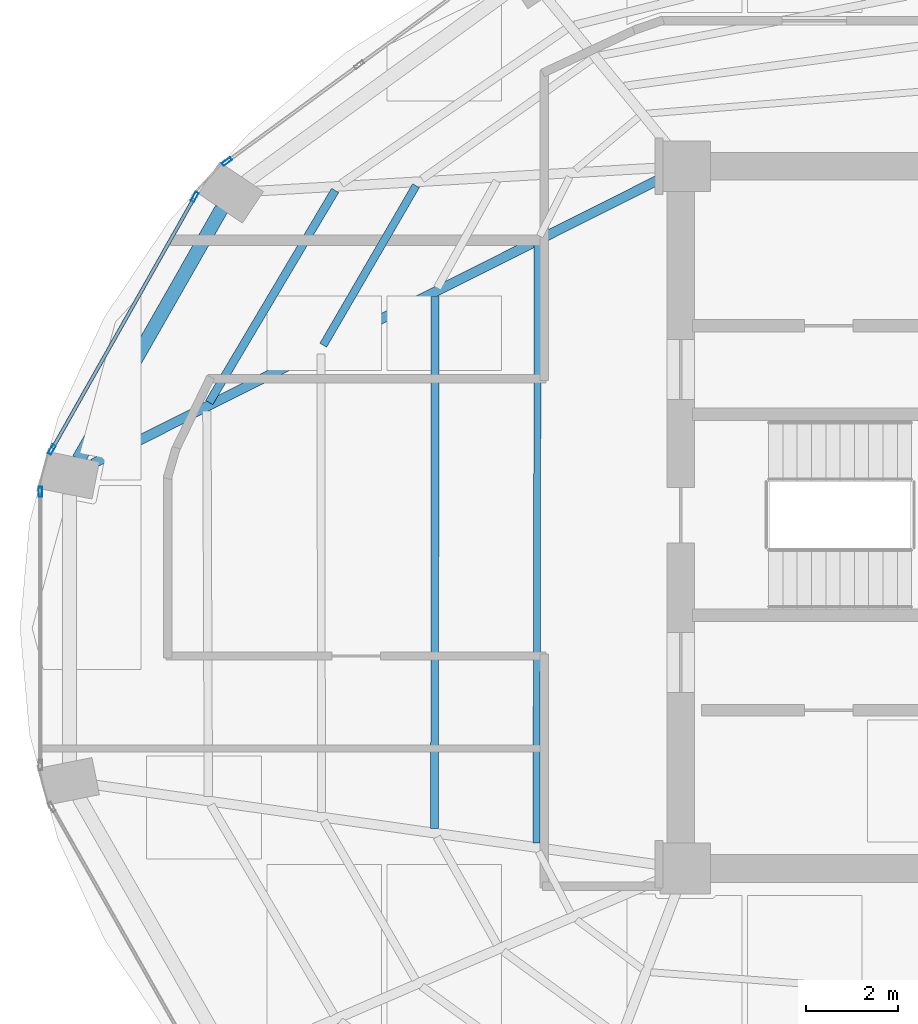
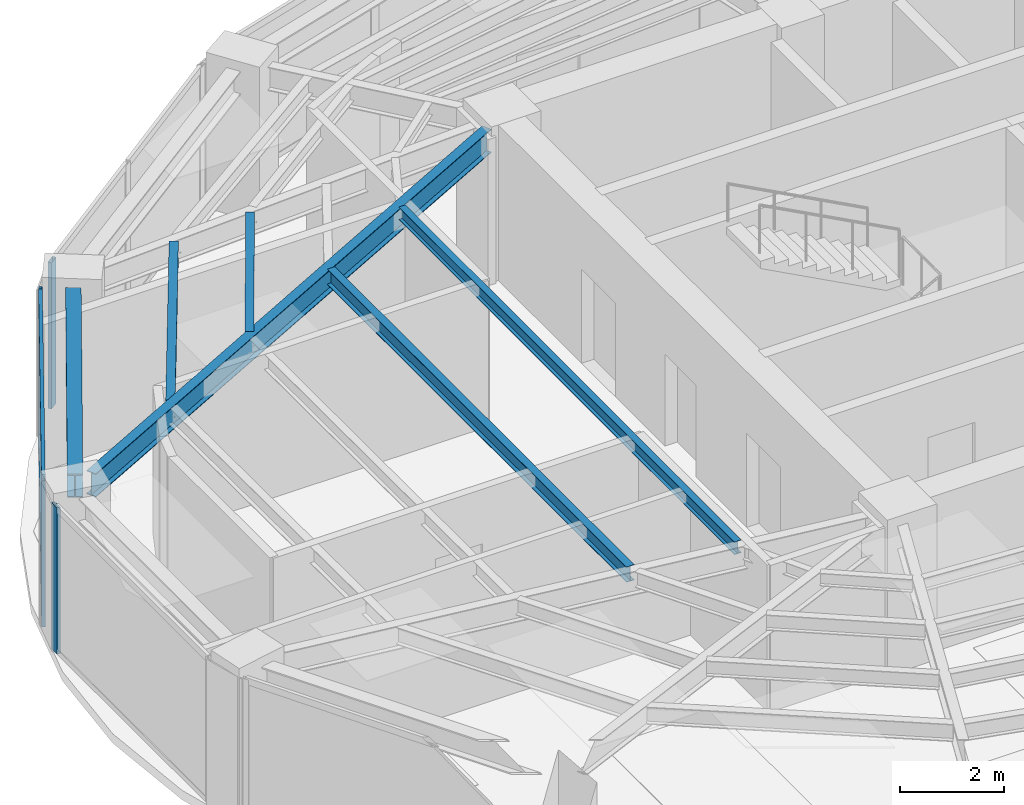
# One storey, part 6 of 19: 6 beams, 6 members, 3 elements without a shape of their own.
"""IFC4 building model written with IfcOpenShell, lengths in metres."""

import ifcopenshell
import ifcopenshell.guid

model = None  # the IFC model being written
_history = None  # IfcOwnerHistory: only IFC2X3 demands one
_inside = {}  # id of a spatial element -> (the spatial element, [elements in it])
_under = {}  # id of a project, library or spatial element -> (it, [spatial elements below it])
_declared = {}  # id of a project -> (the project, [libraries it declares])
_typed = {}  # id of a type object -> (the type object, [elements of that type])
_made_of = {}  # id of a material, layer set ... -> (it, [elements and type objects made of it])


def new_model(schema):
    """Start an empty IFC model of exactly this schema.

    Asked for "IFC4X3", IfcOpenShell would pick the latest addendum, in which some entities
    have other attributes; the version numbers below select the first issue.
    IFC2X3 requires an IfcOwnerHistory on every rooted entity: one is made here for all.
    """
    global model, _history
    if schema == "IFC4X3":
        model = ifcopenshell.file(schema_version=(4, 3, 0, 0))
    else:
        model = ifcopenshell.file(schema=schema)
    _inside.clear()
    _under.clear()
    _declared.clear()
    _typed.clear()
    _made_of.clear()
    _history = None
    if model.schema == "IFC2X3":
        org = make("IfcOrganization", Name="unknown")
        user = make(
            "IfcPersonAndOrganization",
            ThePerson=make("IfcPerson", FamilyName="unknown"),
            TheOrganization=org,
        )
        app = make(
            "IfcApplication",
            ApplicationDeveloper=org,
            Version="unknown",
            ApplicationFullName="unknown",
            ApplicationIdentifier="unknown",
        )
        _history = make(
            "IfcOwnerHistory",
            OwningUser=user,
            OwningApplication=app,
            ChangeAction="ADDED",
            CreationDate=0,
        )
    return model


def make(cls, **values):
    """One entity of the class cls with the attributes given. An attribute that is None is left unset."""
    return model.create_entity(
        cls, **{name: value for name, value in values.items() if value is not None}
    )


def rooted(cls, **values):
    """An entity with a GlobalId (a new one), such as an element, a storey or a relation."""
    return make(cls, GlobalId=ifcopenshell.guid.new(), OwnerHistory=_history, **values)


def si_unit(unit_type, name, prefix=None):
    """IfcSIUnit, for example si_unit("LENGTHUNIT", "METRE", prefix="MILLI")."""
    return make("IfcSIUnit", UnitType=unit_type, Prefix=prefix, Name=name)


def assignment(units):
    """IfcUnitAssignment: the units of a project."""
    return None if units is None else make("IfcUnitAssignment", Units=units)


def point(xyz):
    """IfcCartesianPoint."""
    return None if xyz is None else make("IfcCartesianPoint", Coordinates=xyz)


def direction(xyz):
    """IfcDirection."""
    return None if xyz is None else make("IfcDirection", DirectionRatios=xyz)


def frame(location, z_axis=None, x_axis=None):
    """IfcAxis2Placement3D, a coordinate frame: its origin and axes. An axis left out is left unset."""
    return make(
        "IfcAxis2Placement3D",
        Location=point(location),
        Axis=direction(z_axis),
        RefDirection=direction(x_axis),
    )


def frame_2d(location, x_axis=None):
    """IfcAxis2Placement2D, a coordinate frame in the plane: its origin and x axis."""
    return make(
        "IfcAxis2Placement2D", Location=point(location), RefDirection=direction(x_axis)
    )


def origin():
    """The frame at (0, 0, 0) with its axes left unset."""
    return frame((0.0, 0.0, 0.0))


def origin_2d():
    """The frame at (0, 0) in the plane with its x axis left unset."""
    return frame_2d((0.0, 0.0))


def place(relative_to, where):
    """IfcLocalPlacement: puts the frame where relative to a parent placement (None: the world)."""
    return make(
        "IfcLocalPlacement", PlacementRelTo=relative_to, RelativePlacement=where
    )


def context(
    kind, dimensions, precision=None, world=None, true_north=None, identifier=None
):
    """IfcGeometricRepresentationContext, for example the 3D "Model" context."""
    return make(
        "IfcGeometricRepresentationContext",
        ContextIdentifier=identifier,
        ContextType=kind,
        CoordinateSpaceDimension=dimensions,
        Precision=precision,
        WorldCoordinateSystem=world,
        TrueNorth=true_north,
    )


def subcontext(parent, identifier, kind, view, scale=None):
    """IfcGeometricRepresentationSubContext, for example "Body" below "Model"."""
    return make(
        "IfcGeometricRepresentationSubContext",
        ContextIdentifier=identifier,
        ContextType=kind,
        ParentContext=parent,
        TargetScale=scale,
        TargetView=view,
    )


def project(units=None, contexts=None):
    """IfcProject with its units and contexts."""
    return rooted(
        "IfcProject",
        Name="project",
        RepresentationContexts=contexts,
        UnitsInContext=assignment(units),
    )


def spatial(cls, under=None, at=None, **own):
    """A site, building, storey or space (cls), placed at a placement, below another one or the project."""
    s = rooted(cls, ObjectPlacement=at, **own)
    if under is not None:
        _under.setdefault(under.id(), (under, []))[1].append(s)
    return s


def profile(cls, at=None, kind="AREA", **sizes):
    """A parametric profile (cls). Its sizes go by their IFC names, for example OverallWidth=200.0."""
    return make(cls, ProfileType=kind, Position=at, **sizes)


def hollow_rectangle(**sizes):
    """IfcRectangleHollowProfileDef."""
    return profile("IfcRectangleHollowProfileDef", **sizes)


def i_section(**sizes):
    """IfcIShapeProfileDef."""
    return profile("IfcIShapeProfileDef", **sizes)


def extrude(swept, where, along, depth):
    """IfcExtrudedAreaSolid: the profile swept, set in the frame where, extruded along a direction by depth."""
    return make(
        "IfcExtrudedAreaSolid",
        SweptArea=swept,
        Position=where,
        ExtrudedDirection=direction(along),
        Depth=depth,
    )


def shape(context_of_items, identifier, shape_type, items):
    """IfcShapeRepresentation: the items that make up one representation, for example the "Body"."""
    return make(
        "IfcShapeRepresentation",
        ContextOfItems=context_of_items,
        RepresentationIdentifier=identifier,
        RepresentationType=shape_type,
        Items=items,
    )


def material(Name=None, Category=None):
    """IfcMaterial."""
    return make("IfcMaterial", Name=Name, Category=Category)


def layer(
    of_material, thickness, ventilated=None, Name=None, Category=None, Priority=None
):
    """IfcMaterialLayer: one layer of a wall or slab, of a material (None: an air gap)."""
    return make(
        "IfcMaterialLayer",
        Material=of_material,
        LayerThickness=thickness,
        IsVentilated=ventilated,
        Name=Name,
        Category=Category,
        Priority=Priority,
    )


def layer_set(layers, Name=None):
    """IfcMaterialLayerSet."""
    return make("IfcMaterialLayerSet", MaterialLayers=layers, LayerSetName=Name)


def material_profile(
    of_material, cross_section, Name=None, Category=None, Priority=None
):
    """IfcMaterialProfile: a cross section and its material."""
    return make(
        "IfcMaterialProfile",
        Name=Name,
        Material=of_material,
        Profile=cross_section,
        Priority=Priority,
        Category=Category,
    )


def profile_set(profiles, Name=None, composite=None):
    """IfcMaterialProfileSet."""
    return make(
        "IfcMaterialProfileSet",
        Name=Name,
        MaterialProfiles=profiles,
        CompositeProfile=composite,
    )


def made_of(thing, what):
    """Note that an element or type object is made of a material, layer set ...; save() writes the relation."""
    if what is not None:
        _made_of.setdefault(what.id(), (what, []))[1].append(thing)
    return thing


def type_object(cls, material=None, **own):
    """A type object (cls), such as IfcWallType, which elements share."""
    return made_of(rooted(cls, **own), material)


def element(
    cls,
    number,
    at=None,
    inside=None,
    cuts=None,
    type_object=None,
    material=None,
    context=None,
    identifier="Body",
    shape_type=None,
    held_by="IfcProductDefinitionShape",
    body=None,
    shapes=None,
    **own,
):
    """One element of the class cls, such as IfcWall. Its Tag is "e" and its number.

    at: its placement. inside: the storey or other place that contains it. cuts: it is an
    opening in that element (IfcRelVoidsElement). A single representation is given by context,
    identifier, shape_type and body (its items); several are given by shapes. held_by: the class
    of the entity that holds the representations. save() writes the other relations.
    """
    e = rooted(cls, Tag="e%d" % number, ObjectPlacement=at, **own)
    if body is not None:
        shapes = [shape(context, identifier, shape_type, body)]
    if shapes is not None:
        e.Representation = make(held_by, Representations=shapes)
    if inside is not None:
        _inside.setdefault(inside.id(), (inside, []))[1].append(e)
    if cuts is not None:
        rooted(
            "IfcRelVoidsElement", RelatingBuildingElement=cuts, RelatedOpeningElement=e
        )
    if type_object is not None:
        _typed.setdefault(type_object.id(), (type_object, []))[1].append(e)
    return made_of(e, material)


def aggregate(whole, parts):
    """IfcRelAggregates: a whole, such as a stair, and the parts it consists of."""
    return rooted("IfcRelAggregates", RelatingObject=whole, RelatedObjects=parts)


def save(model, path):
    """Write the relations noted so far, then the file.

    IfcRelAggregates (storeys below a building ...), IfcRelContainedInSpatialStructure (elements
    in a storey), IfcRelDefinesByType, IfcRelAssociatesMaterial and IfcRelDeclares: one each for
    every whole, place, type object, material and project.
    """
    for whole, parts in _under.values():
        aggregate(whole, parts)
    for where, things in _inside.values():
        rooted(
            "IfcRelContainedInSpatialStructure",
            RelatedElements=things,
            RelatingStructure=where,
        )
    for kind, things in _typed.values():
        rooted("IfcRelDefinesByType", RelatedObjects=things, RelatingType=kind)
    for what, things in _made_of.values():
        rooted("IfcRelAssociatesMaterial", RelatedObjects=things, RelatingMaterial=what)
    for by, libraries in _declared.values():
        rooted("IfcRelDeclares", RelatingContext=by, RelatedDefinitions=libraries)
    model.write(path)


model = new_model("IFC4")

# Units and contexts
model_context = context("Model", 3, precision=1e-05, world=origin(), true_north=direction((0.0, 1.0)))
body_context = subcontext(model_context, "Body", "Model", "MODEL_VIEW")
ifc_project = project(units=[si_unit("LENGTHUNIT", "METRE"), si_unit("AREAUNIT", "SQUARE_METRE"), si_unit("VOLUMEUNIT", "CUBIC_METRE"), si_unit("PLANEANGLEUNIT", "RADIAN"), si_unit("MASSUNIT", "GRAM", prefix="KILO")], contexts=[model_context])

# Site, building, storey
site_placement = place(None, origin())
site = spatial("IfcSite", under=ifc_project, at=site_placement, CompositionType="ELEMENT")
building_placement = place(site_placement, origin())
building = spatial("IfcBuilding", under=site, at=building_placement, Name="Lazwardi Medical Tower", CompositionType="ELEMENT")
storey_placement = place(building_placement, frame((0.0, 0.0, 171.1201171875)))
storey = spatial("IfcBuildingStorey", under=building, at=storey_placement, Name="L44", CompositionType="ELEMENT", Elevation=171.1201171875)

# Beams
ifc_material_1 = material(Name="Steel S355", Category="steel")
ifc_material_profile_1 = material_profile(ifc_material_1, i_section(OverallWidth=0.300048828125, OverallDepth=0.550048828125, WebThickness=0.014892578125, FlangeThickness=0.029052734375, at=origin_2d()), Name="HEB 550")
ifc_profile_set_1 = profile_set([ifc_material_profile_1], Name="Steel S355")
beam_type_1 = type_object("IfcBeamType", Name="BM-RB-Z3", PredefinedType="BEAM", material=ifc_profile_set_1)
beam_1_placement = place(storey_placement, frame((16.3662109375, 34.683349609375, 3.15283203125), z_axis=(-0.495477752551, -0.868620628771, 0.0), x_axis=(0.868620628771, -0.495477752551, 0.0)))
element("IfcBeam", 1, at=beam_1_placement, inside=storey, type_object=beam_type_1, Name="Ring beam RB-04 B11 L44", PredefinedType="BEAM", context=body_context, shape_type="SweptSolid", body=[
    extrude(i_section(OverallWidth=0.300048828125, OverallDepth=0.550048828125, WebThickness=0.014892578125, FlangeThickness=0.029052734375, at=origin_2d()), origin(), (0.0, 0.0, 1.0), 6.244384765625),
])
ifc_material_profile_2 = material_profile(ifc_material_1, i_section(OverallWidth=0.2099609375, OverallDepth=0.550048828125, WebThickness=0.010986328125, FlangeThickness=0.01708984375, at=origin_2d()), Name="IPE 550")
ifc_profile_set_2 = profile_set([ifc_material_profile_2], Name="Steel S355")
beam_type_2 = type_object("IfcBeamType", Name="BM-RG-W2", PredefinedType="BEAM", material=ifc_profile_set_2)
beam_2_placement = place(storey_placement, frame((13.57470703125, 29.162841796875, 3.15283203125), z_axis=(0.893740468624, 0.448584412061, 0.0), x_axis=(-0.448584412061, 0.893740468624, 0.0)))
element("IfcBeam", 2, at=beam_2_placement, inside=storey, type_object=beam_type_2, Name="Radial girder RG-03 R12 L44", PredefinedType="BEAM", context=body_context, shape_type="SweptSolid", body=[
    extrude(i_section(OverallWidth=0.2099609375, OverallDepth=0.550048828125, WebThickness=0.010986328125, FlangeThickness=0.01708984375, at=origin_2d()), origin(), (0.0, 0.0, 1.0), 13.815185546875),
])
ifc_material_profile_3 = material_profile(ifc_material_1, i_section(OverallWidth=0.179931640625, OverallDepth=0.39990234375, WebThickness=0.008544921875, FlangeThickness=0.013427734375, at=origin_2d()), Name="IPE 400")
ifc_profile_set_3 = profile_set([ifc_material_profile_3], Name="Steel S355")
beam_type_3 = type_object("IfcBeamType", Name="BM-SJ-01", PredefinedType="JOIST", material=ifc_profile_set_3)
beam_3_placement = place(storey_placement, frame((18.82080078125, 35.078369140625, 3.227783203125), z_axis=(-0.510569396963, -0.859836548935, 0.0), x_axis=(0.859836548935, -0.510569396963, 0.0)))
element("IfcBeam", 3, at=beam_3_placement, inside=storey, type_object=beam_type_3, Name="Secondary joist SJ-01 R1 B11 L44", PredefinedType="JOIST", context=body_context, shape_type="SweptSolid", body=[
    extrude(i_section(OverallWidth=0.179931640625, OverallDepth=0.39990234375, WebThickness=0.008544921875, FlangeThickness=0.013427734375, at=origin_2d()), origin(), (0.0, 0.0, 1.0), 5.33837890625),
])
ifc_material_profile_4 = material_profile(ifc_material_1, i_section(OverallWidth=0.169921875, OverallDepth=0.360107421875, WebThickness=0.008056640625, FlangeThickness=0.0126953125, at=origin_2d()), Name="IPE 360")
ifc_profile_set_4 = profile_set([ifc_material_profile_4], Name="Steel S355")
beam_type_4 = type_object("IfcBeamType", Name="BM-SJ-02", PredefinedType="JOIST", material=ifc_profile_set_4)
beam_4_placement = place(storey_placement, frame((20.5703125, 35.17919921875, 3.247802734375), z_axis=(-0.502665102216, -0.864481228839, 0.0), x_axis=(0.864481228839, -0.502665102216, 0.0)))
element("IfcBeam", 4, at=beam_4_placement, inside=storey, type_object=beam_type_4, Name="Secondary joist SJ-02 R2 B11 L44", PredefinedType="JOIST", context=body_context, shape_type="SweptSolid", body=[
    extrude(i_section(OverallWidth=0.169921875, OverallDepth=0.360107421875, WebThickness=0.008056640625, FlangeThickness=0.0126953125, at=origin_2d()), origin(), (0.0, 0.0, 1.0), 3.991943359375),
])
beam_5_placement = place(storey_placement, frame((20.98291015625, 32.78125, 3.247802734375), z_axis=(-0.000805852776, -0.999999675301, 0.0), x_axis=(0.999999675301, -0.000805852776, 0.0)))
element("IfcBeam", 5, at=beam_5_placement, inside=storey, type_object=beam_type_4, Name="Secondary joist SJ-02 R3 B12 L44", PredefinedType="JOIST", context=body_context, shape_type="SweptSolid", body=[
    extrude(i_section(OverallWidth=0.169921875, OverallDepth=0.360107421875, WebThickness=0.008056640625, FlangeThickness=0.0126953125, at=origin_2d()), origin(), (0.0, 0.0, 1.0), 11.512451171875),
])
ifc_material_profile_5 = material_profile(ifc_material_1, i_section(OverallWidth=0.14990234375, OverallDepth=0.300048828125, WebThickness=0.007080078125, FlangeThickness=0.0107421875, at=origin_2d()), Name="IPE 300")
ifc_profile_set_5 = profile_set([ifc_material_profile_5], Name="Steel S355")
beam_type_5 = type_object("IfcBeamType", Name="BM-SJ-03", PredefinedType="JOIST", material=ifc_profile_set_5)
beam_6_placement = place(storey_placement, frame((23.205078125, 33.896484375, 3.27783203125), z_axis=(-0.002150897838, -0.999997686817, 0.0), x_axis=(0.999997686817, -0.002150897838, 0.0)))
element("IfcBeam", 6, at=beam_6_placement, inside=storey, type_object=beam_type_5, Name="Secondary joist SJ-03 R4 B12 L44", PredefinedType="JOIST", context=body_context, shape_type="SweptSolid", body=[
    extrude(i_section(OverallWidth=0.14990234375, OverallDepth=0.300048828125, WebThickness=0.007080078125, FlangeThickness=0.0107421875, at=origin_2d()), origin(), (0.0, 0.0, 1.0), 12.939697265625),
])

# Curtain wall, member
ifc_material_2 = material(Name="Anodised bronze aluminium and solar control glazing", Category="aluminium")
ifc_layer = layer(ifc_material_2, 0.195068359375)
ifc_layer_set = layer_set([ifc_layer], Name="Anodised bronze aluminium and solar control glazing")
curtain_wall_type = type_object("IfcCurtainWallType", Name="CW-SYS-03", PredefinedType="NOTDEFINED", material=ifc_layer_set)
curtain_wall_1_placement = place(storey_placement, origin())
curtain_wall_1 = element("IfcCurtainWall", 7, at=curtain_wall_1_placement, inside=storey, type_object=curtain_wall_type, Name="L44 Unitised bronze curtain wall CW-03", PredefinedType="NOTDEFINED")
ifc_material_3 = material(Name="Anodised bronze aluminium", Category="aluminium")
ifc_material_profile_6 = material_profile(ifc_material_3, hollow_rectangle(XDim=0.074951171875, YDim=0.219970703125, WallThickness=0.00390625, at=origin_2d()), Name="ALU-MULLION 220x75x4")
ifc_profile_set_6 = profile_set([ifc_material_profile_6], Name="Anodised bronze aluminium")
member_type_1 = type_object("IfcMemberType", Name="CW-MUL-01", PredefinedType="MULLION", material=ifc_profile_set_6)
member_1_placement = place(storey_placement, frame((16.480224609375, 35.702880859375, 0.0), z_axis=(0.0, 0.0, 1.0), x_axis=(0.590833862635, -0.806793249082, 0.0)))
member_1 = element("IfcMember", 8, at=member_1_placement, type_object=member_type_1, Name="CW-03 mullion 3", PredefinedType="MULLION", context=body_context, shape_type="SweptSolid", body=[
    extrude(hollow_rectangle(XDim=0.074951171875, YDim=0.219970703125, WallThickness=0.00390625, at=origin_2d()), origin(), (0.0, 0.0, 1.0), 3.427978515625),
])
aggregate(curtain_wall_1, [member_1])

# Curtain wall, members
curtain_wall_2_placement = place(storey_placement, origin())
curtain_wall_2 = element("IfcCurtainWall", 9, at=curtain_wall_2_placement, inside=storey, type_object=curtain_wall_type, Name="L44 Unitised bronze curtain wall CW-03", PredefinedType="NOTDEFINED")
member_2_placement = place(storey_placement, frame((15.782470703125, 34.936767578125, 0.0), z_axis=(0.0, 0.0, 1.0), x_axis=(0.870418989303, -0.492311672683, 0.0)))
member_2 = element("IfcMember", 10, at=member_2_placement, type_object=member_type_1, Name="CW-03 mullion 1", PredefinedType="MULLION", context=body_context, shape_type="SweptSolid", body=[
    extrude(hollow_rectangle(XDim=0.074951171875, YDim=0.219970703125, WallThickness=0.00390625, at=origin_2d()), origin(), (0.0, 0.0, 1.0), 3.427978515625),
])
member_3_placement = place(storey_placement, frame((12.68896484375, 29.46728515625, 0.0), z_axis=(0.0, 0.0, 1.0), x_axis=(0.870418989303, -0.492311672683, 0.0)))
member_3 = element("IfcMember", 11, at=member_3_placement, type_object=member_type_1, Name="CW-03 mullion 2", PredefinedType="MULLION", context=body_context, shape_type="SweptSolid", body=[
    extrude(hollow_rectangle(XDim=0.074951171875, YDim=0.219970703125, WallThickness=0.00390625, at=origin_2d()), origin(), (0.0, 0.0, 1.0), 3.427978515625),
])

# Curtain wall, member
curtain_wall_3_placement = place(storey_placement, origin())
curtain_wall_3 = element("IfcCurtainWall", 12, at=curtain_wall_3_placement, inside=storey, type_object=curtain_wall_type, Name="L44 Unitised bronze curtain wall CW-03", PredefinedType="NOTDEFINED")
member_4_placement = place(storey_placement, frame((12.4423828125, 28.557861328125, 0.0), z_axis=(0.0, 0.0, 1.0), x_axis=(1.0, 0.0, 0.0)))
member_4 = element("IfcMember", 13, at=member_4_placement, type_object=member_type_1, Name="CW-03 mullion 1", PredefinedType="MULLION", context=body_context, shape_type="SweptSolid", body=[
    extrude(hollow_rectangle(XDim=0.074951171875, YDim=0.219970703125, WallThickness=0.00390625, at=origin_2d()), origin(), (0.0, 0.0, 1.0), 3.427978515625),
])
aggregate(curtain_wall_3, [member_4])

# Member
ifc_material_profile_7 = material_profile(ifc_material_3, hollow_rectangle(XDim=0.074951171875, YDim=0.159912109375, WallThickness=0.00390625, at=origin_2d()), Name="ALU-TRANSOM 160x75x4")
ifc_profile_set_7 = profile_set([ifc_material_profile_7], Name="Anodised bronze aluminium")
member_type_2 = type_object("IfcMemberType", Name="CW-TRN-01", PredefinedType="USERDEFINED", material=ifc_profile_set_7)
member_5_placement = place(storey_placement, frame((15.763916015625, 34.904052734375, 0.037353515625), z_axis=(-0.492322860598, -0.870412661289, 0.0), x_axis=(0.870412661289, -0.492322860598, 0.0)))
member_5 = element("IfcMember", 14, at=member_5_placement, type_object=member_type_2, Name="CW-03 transom 1.1", ObjectType="TRANSOM", PredefinedType="USERDEFINED", context=body_context, shape_type="SweptSolid", body=[
    extrude(hollow_rectangle(XDim=0.074951171875, YDim=0.159912109375, WallThickness=0.00390625, at=origin_2d()), origin(), (0.0, 0.0, 1.0), 6.20849609375),
])

member_6_placement = place(storey_placement, frame((15.763916015625, 34.904052734375, 3.390380859375), z_axis=(-0.492322860598, -0.870412661289, 0.0), x_axis=(0.870412661289, -0.492322860598, 0.0)))
member_6 = element("IfcMember", 15, at=member_6_placement, type_object=member_type_2, Name="CW-03 transom 1.2", ObjectType="TRANSOM", PredefinedType="USERDEFINED", context=body_context, shape_type="SweptSolid", body=[
    extrude(hollow_rectangle(XDim=0.074951171875, YDim=0.159912109375, WallThickness=0.00390625, at=origin_2d()), origin(), (0.0, 0.0, 1.0), 6.20849609375),
])

aggregate(curtain_wall_2, [member_2, member_3, member_5, member_6])

save(model, "model.ifc")
